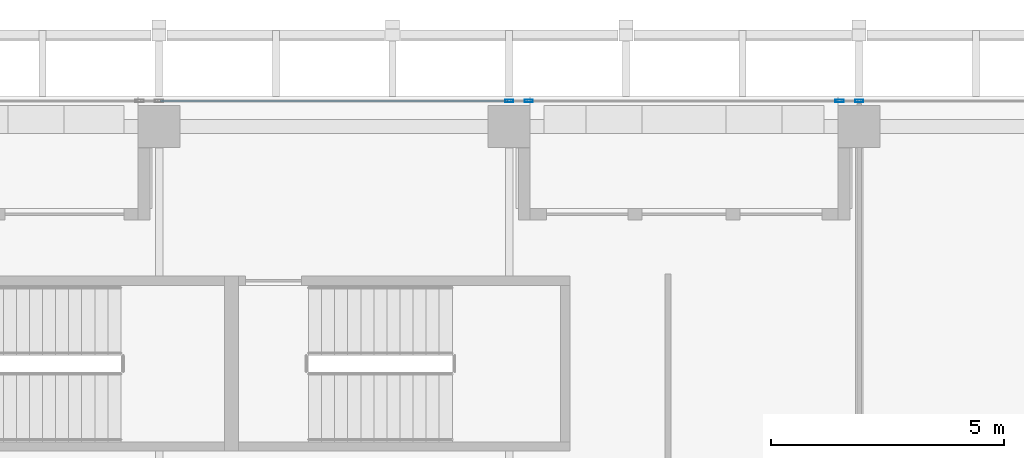
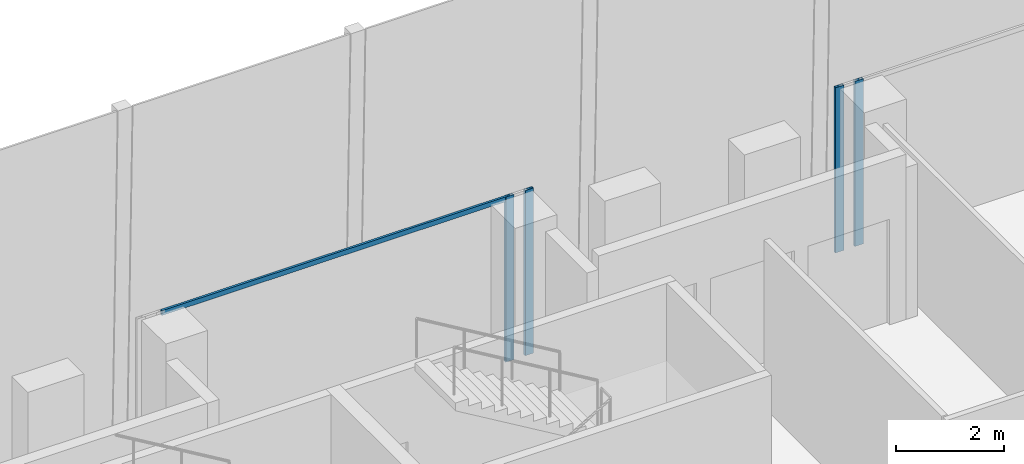
# One storey, part 17 of 35: 5 members, 2 elements without a shape of their own.
"""IFC4 building model written with IfcOpenShell, lengths in metres."""

from ifc_helpers import new_model, si_unit, direction, frame, origin, origin_2d, place, context, subcontext, project, spatial, hollow_rectangle, extrude, source, transform, mapped, material, material_profile, profile_set, type_object, element, aggregate, save


model = new_model("IFC4")

# Units and contexts
model_context = context("Model", 3, precision=1e-05, world=origin(), true_north=direction((0.0, 1.0)))
body_context = subcontext(model_context, "Body", "Model", "MODEL_VIEW")
ifc_project = project(units=[si_unit("LENGTHUNIT", "METRE"), si_unit("AREAUNIT", "SQUARE_METRE"), si_unit("VOLUMEUNIT", "CUBIC_METRE"), si_unit("PLANEANGLEUNIT", "RADIAN"), si_unit("MASSUNIT", "GRAM", prefix="KILO")], contexts=[model_context])

# Site, building, storey
site_placement = place(None, origin())
site = spatial("IfcSite", under=ifc_project, at=site_placement, CompositionType="ELEMENT")
building_placement = place(site_placement, origin())
building = spatial("IfcBuilding", under=site, at=building_placement, Name="Khomas Fold Tower", CompositionType="ELEMENT")
storey_placement = place(building_placement, frame((0.0, 0.0, 266.199951171875)))
storey = spatial("IfcBuildingStorey", under=building, at=storey_placement, Name="L60", CompositionType="ELEMENT", Elevation=266.199951171875)

# Curtain wall, members
ifc_material_1 = material(Name="Aluminium framed double glazing", Category="aluminium")
curtain_wall_type = type_object("IfcCurtainWallType", Name="SK-Unitised clear-glass wall, office floors CW2", PredefinedType="NOTDEFINED", material=ifc_material_1)
curtain_wall_1_placement = place(storey_placement, origin())
curtain_wall_1 = element("IfcCurtainWall", 1, at=curtain_wall_1_placement, inside=storey, type_object=curtain_wall_type, Name="CW2 run L60 06-0", PredefinedType="NOTDEFINED")
ifc_material_2 = material(Name="Aluminium", Category="aluminium")
ifc_material_profile_1 = material_profile(ifc_material_2, hollow_rectangle(XDim=0.06005859375, YDim=0.179931640625, WallThickness=0.00390625, at=origin_2d()), Name="SK-Unitised clear-glass wall, office floors mullion CW2-M")
ifc_profile_set_1 = profile_set([ifc_material_profile_1], Name="Aluminium")
member_type_1 = type_object("IfcMemberType", Name="SK-Unitised clear-glass wall, office floors mullion CW2-M", PredefinedType="MULLION", material=ifc_profile_set_1)
shared_shape_1 = source(origin(), body_context, "Body", "SweptSolid", [
    extrude(hollow_rectangle(XDim=0.06005859375, YDim=0.179931640625, WallThickness=0.00390625, at=origin_2d()), origin(), (0.0, 0.0, 1.0), 3.75),
])
member_1_placement = place(storey_placement, frame((34.5, 49.39990234375, 0.0), z_axis=(0.0, 0.0, 1.0), x_axis=(0.0, -1.0, 0.0)))
member_1 = element("IfcMember", 2, at=member_1_placement, type_object=member_type_1, Name="CW2 mullion 3", PredefinedType="MULLION", context=body_context, shape_type="MappedRepresentation", body=[
    mapped(shared_shape_1, transform((0.0, 0.0, 0.0))),
])
member_2_placement = place(storey_placement, frame((34.080078125, 49.39990234375, 0.0), z_axis=(0.0, 0.0, 1.0), x_axis=(0.0, -1.0, 0.0)))
member_2 = element("IfcMember", 3, at=member_2_placement, type_object=member_type_1, Name="CW2 mullion 4", PredefinedType="MULLION", context=body_context, shape_type="MappedRepresentation", body=[
    mapped(shared_shape_1, transform((0.0, 0.0, 0.0))),
])
aggregate(curtain_wall_1, [member_1, member_2])

curtain_wall_2_placement = place(storey_placement, origin())
curtain_wall_2 = element("IfcCurtainWall", 4, at=curtain_wall_2_placement, inside=storey, type_object=curtain_wall_type, Name="CW2 run L60 06-1", PredefinedType="NOTDEFINED")
member_3_placement = place(storey_placement, frame((27.419921875, 49.39990234375, 0.0), z_axis=(0.0, 0.0, 1.0), x_axis=(0.0, -1.0, 0.0)))
member_3 = element("IfcMember", 5, at=member_3_placement, type_object=member_type_1, Name="CW2 mullion 1", PredefinedType="MULLION", context=body_context, shape_type="MappedRepresentation", body=[
    mapped(shared_shape_1, transform((0.0, 0.0, 0.0))),
])
member_4_placement = place(storey_placement, frame((27.0, 49.39990234375, 0.0), z_axis=(0.0, 0.0, 1.0), x_axis=(0.0, -1.0, 0.0)))
member_4 = element("IfcMember", 6, at=member_4_placement, type_object=member_type_1, Name="CW2 mullion 2", PredefinedType="MULLION", context=body_context, shape_type="MappedRepresentation", body=[
    mapped(shared_shape_1, transform((0.0, 0.0, 0.0))),
])
ifc_material_3 = material(Name="Aluminium", Category="aluminium")
ifc_material_profile_2 = material_profile(ifc_material_3, hollow_rectangle(XDim=0.050048828125, YDim=0.110107421875, WallThickness=0.00390625, at=origin_2d()), Name="SK-Unitised clear-glass wall, office floors transom CW2-T")
ifc_profile_set_2 = profile_set([ifc_material_profile_2], Name="Aluminium")
member_type_2 = type_object("IfcMemberType", Name="SK-Unitised clear-glass wall, office floors transom CW2-T", PredefinedType="USERDEFINED", material=ifc_profile_set_2)
shared_shape_2 = source(origin(), body_context, "Body", "SweptSolid", [
    extrude(hollow_rectangle(XDim=0.050048828125, YDim=0.110107421875, WallThickness=0.00390625, at=origin_2d()), origin(), (0.0, 0.0, 1.0), 7.43994140625),
])
member_5_placement = place(storey_placement, frame((26.969970703125, 49.39990234375, 3.695068359375), z_axis=(-1.0, 0.0, 0.0), x_axis=(0.0, -1.0, 0.0)))
member_5 = element("IfcMember", 7, at=member_5_placement, type_object=member_type_2, Name="CW2 transom 2", ObjectType="TRANSOM", PredefinedType="USERDEFINED", context=body_context, shape_type="MappedRepresentation", body=[
    mapped(shared_shape_2, transform((0.0, 0.0, 0.0))),
])
aggregate(curtain_wall_2, [member_3, member_4, member_5])

save(model, "model.ifc")
